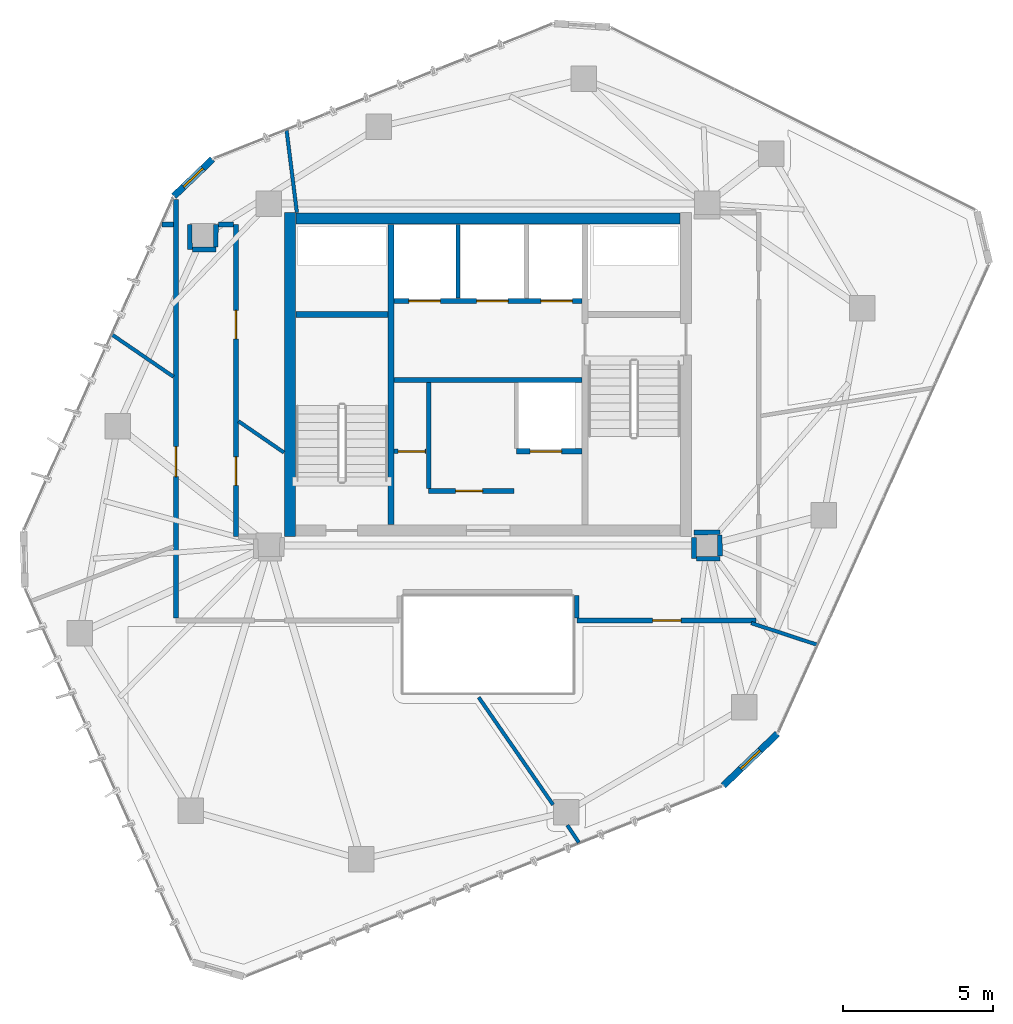
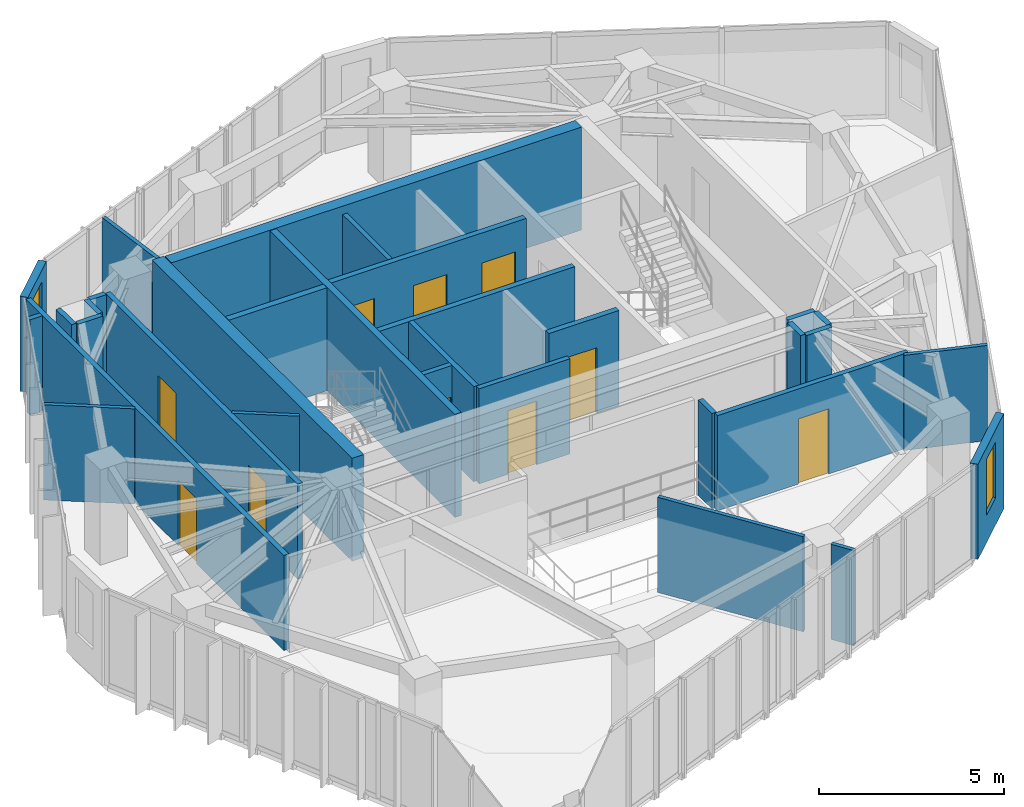
# One storey, part 17 of 20: 32 walls, 10 doors, 2 windows, 12 openings.
"""IFC4 building model written with IfcOpenShell, lengths in metres."""

import ifcopenshell
import ifcopenshell.guid

model = None  # the IFC model being written
_history = None  # IfcOwnerHistory: only IFC2X3 demands one
_inside = {}  # id of a spatial element -> (the spatial element, [elements in it])
_under = {}  # id of a project, library or spatial element -> (it, [spatial elements below it])
_declared = {}  # id of a project -> (the project, [libraries it declares])
_typed = {}  # id of a type object -> (the type object, [elements of that type])
_made_of = {}  # id of a material, layer set ... -> (it, [elements and type objects made of it])


def new_model(schema):
    """Start an empty IFC model of exactly this schema.

    Asked for "IFC4X3", IfcOpenShell would pick the latest addendum, in which some entities
    have other attributes; the version numbers below select the first issue.
    IFC2X3 requires an IfcOwnerHistory on every rooted entity: one is made here for all.
    """
    global model, _history
    if schema == "IFC4X3":
        model = ifcopenshell.file(schema_version=(4, 3, 0, 0))
    else:
        model = ifcopenshell.file(schema=schema)
    _inside.clear()
    _under.clear()
    _declared.clear()
    _typed.clear()
    _made_of.clear()
    _history = None
    if model.schema == "IFC2X3":
        org = make("IfcOrganization", Name="unknown")
        user = make(
            "IfcPersonAndOrganization",
            ThePerson=make("IfcPerson", FamilyName="unknown"),
            TheOrganization=org,
        )
        app = make(
            "IfcApplication",
            ApplicationDeveloper=org,
            Version="unknown",
            ApplicationFullName="unknown",
            ApplicationIdentifier="unknown",
        )
        _history = make(
            "IfcOwnerHistory",
            OwningUser=user,
            OwningApplication=app,
            ChangeAction="ADDED",
            CreationDate=0,
        )
    return model


def make(cls, **values):
    """One entity of the class cls with the attributes given. An attribute that is None is left unset."""
    return model.create_entity(
        cls, **{name: value for name, value in values.items() if value is not None}
    )


def rooted(cls, **values):
    """An entity with a GlobalId (a new one), such as an element, a storey or a relation."""
    return make(cls, GlobalId=ifcopenshell.guid.new(), OwnerHistory=_history, **values)


def si_unit(unit_type, name, prefix=None):
    """IfcSIUnit, for example si_unit("LENGTHUNIT", "METRE", prefix="MILLI")."""
    return make("IfcSIUnit", UnitType=unit_type, Prefix=prefix, Name=name)


def assignment(units):
    """IfcUnitAssignment: the units of a project."""
    return None if units is None else make("IfcUnitAssignment", Units=units)


def point(xyz):
    """IfcCartesianPoint."""
    return None if xyz is None else make("IfcCartesianPoint", Coordinates=xyz)


def direction(xyz):
    """IfcDirection."""
    return None if xyz is None else make("IfcDirection", DirectionRatios=xyz)


def frame(location, z_axis=None, x_axis=None):
    """IfcAxis2Placement3D, a coordinate frame: its origin and axes. An axis left out is left unset."""
    return make(
        "IfcAxis2Placement3D",
        Location=point(location),
        Axis=direction(z_axis),
        RefDirection=direction(x_axis),
    )


def frame_2d(location, x_axis=None):
    """IfcAxis2Placement2D, a coordinate frame in the plane: its origin and x axis."""
    return make(
        "IfcAxis2Placement2D", Location=point(location), RefDirection=direction(x_axis)
    )


def origin():
    """The frame at (0, 0, 0) with its axes left unset."""
    return frame((0.0, 0.0, 0.0))


def place(relative_to, where):
    """IfcLocalPlacement: puts the frame where relative to a parent placement (None: the world)."""
    return make(
        "IfcLocalPlacement", PlacementRelTo=relative_to, RelativePlacement=where
    )


def context(
    kind, dimensions, precision=None, world=None, true_north=None, identifier=None
):
    """IfcGeometricRepresentationContext, for example the 3D "Model" context."""
    return make(
        "IfcGeometricRepresentationContext",
        ContextIdentifier=identifier,
        ContextType=kind,
        CoordinateSpaceDimension=dimensions,
        Precision=precision,
        WorldCoordinateSystem=world,
        TrueNorth=true_north,
    )


def subcontext(parent, identifier, kind, view, scale=None):
    """IfcGeometricRepresentationSubContext, for example "Body" below "Model"."""
    return make(
        "IfcGeometricRepresentationSubContext",
        ContextIdentifier=identifier,
        ContextType=kind,
        ParentContext=parent,
        TargetScale=scale,
        TargetView=view,
    )


def project(units=None, contexts=None):
    """IfcProject with its units and contexts."""
    return rooted(
        "IfcProject",
        Name="project",
        RepresentationContexts=contexts,
        UnitsInContext=assignment(units),
    )


def spatial(cls, under=None, at=None, **own):
    """A site, building, storey or space (cls), placed at a placement, below another one or the project."""
    s = rooted(cls, ObjectPlacement=at, **own)
    if under is not None:
        _under.setdefault(under.id(), (under, []))[1].append(s)
    return s


def profile(cls, at=None, kind="AREA", **sizes):
    """A parametric profile (cls). Its sizes go by their IFC names, for example OverallWidth=200.0."""
    return make(cls, ProfileType=kind, Position=at, **sizes)


def rectangle(**sizes):
    """IfcRectangleProfileDef."""
    return profile("IfcRectangleProfileDef", **sizes)


def extrude(swept, where, along, depth):
    """IfcExtrudedAreaSolid: the profile swept, set in the frame where, extruded along a direction by depth."""
    return make(
        "IfcExtrudedAreaSolid",
        SweptArea=swept,
        Position=where,
        ExtrudedDirection=direction(along),
        Depth=depth,
    )


def shape(context_of_items, identifier, shape_type, items):
    """IfcShapeRepresentation: the items that make up one representation, for example the "Body"."""
    return make(
        "IfcShapeRepresentation",
        ContextOfItems=context_of_items,
        RepresentationIdentifier=identifier,
        RepresentationType=shape_type,
        Items=items,
    )


def source(mapping_origin, context_of_items, identifier, shape_type, items):
    """IfcRepresentationMap: a shape defined once, which mapped items show again and again."""
    return make(
        "IfcRepresentationMap",
        MappingOrigin=mapping_origin,
        MappedRepresentation=shape(context_of_items, identifier, shape_type, items),
    )


def transform(
    local_origin,
    x_axis=None,
    y_axis=None,
    z_axis=None,
    scale=None,
    scale2=None,
    scale3=None,
    uniform=True,
):
    """IfcCartesianTransformationOperator3D, or its non-uniform kind. x_axis, y_axis, z_axis: its Axis1, 2, 3."""
    if uniform:
        return make(
            "IfcCartesianTransformationOperator3D",
            Axis1=direction(x_axis),
            Axis2=direction(y_axis),
            LocalOrigin=point(local_origin),
            Scale=scale,
            Axis3=direction(z_axis),
        )
    return make(
        "IfcCartesianTransformationOperator3DnonUniform",
        Axis1=direction(x_axis),
        Axis2=direction(y_axis),
        LocalOrigin=point(local_origin),
        Scale=scale,
        Axis3=direction(z_axis),
        Scale2=scale2,
        Scale3=scale3,
    )


def mapped(mapping_source, mapping_target):
    """IfcMappedItem: shows the shape of a source again, moved by a transform."""
    return make(
        "IfcMappedItem", MappingSource=mapping_source, MappingTarget=mapping_target
    )


def material(Name=None, Category=None):
    """IfcMaterial."""
    return make("IfcMaterial", Name=Name, Category=Category)


def layer(
    of_material, thickness, ventilated=None, Name=None, Category=None, Priority=None
):
    """IfcMaterialLayer: one layer of a wall or slab, of a material (None: an air gap)."""
    return make(
        "IfcMaterialLayer",
        Material=of_material,
        LayerThickness=thickness,
        IsVentilated=ventilated,
        Name=Name,
        Category=Category,
        Priority=Priority,
    )


def layer_set(layers, Name=None):
    """IfcMaterialLayerSet."""
    return make("IfcMaterialLayerSet", MaterialLayers=layers, LayerSetName=Name)


def made_of(thing, what):
    """Note that an element or type object is made of a material, layer set ...; save() writes the relation."""
    if what is not None:
        _made_of.setdefault(what.id(), (what, []))[1].append(thing)
    return thing


def type_object(cls, material=None, **own):
    """A type object (cls), such as IfcWallType, which elements share."""
    return made_of(rooted(cls, **own), material)


def type_shapes(of_type, sources):
    """Give a type object the sources (RepresentationMaps) that its elements show as mapped items."""
    of_type.RepresentationMaps = sources


def element(
    cls,
    number,
    at=None,
    inside=None,
    cuts=None,
    type_object=None,
    material=None,
    context=None,
    identifier="Body",
    shape_type=None,
    held_by="IfcProductDefinitionShape",
    body=None,
    shapes=None,
    **own,
):
    """One element of the class cls, such as IfcWall. Its Tag is "e" and its number.

    at: its placement. inside: the storey or other place that contains it. cuts: it is an
    opening in that element (IfcRelVoidsElement). A single representation is given by context,
    identifier, shape_type and body (its items); several are given by shapes. held_by: the class
    of the entity that holds the representations. save() writes the other relations.
    """
    e = rooted(cls, Tag="e%d" % number, ObjectPlacement=at, **own)
    if body is not None:
        shapes = [shape(context, identifier, shape_type, body)]
    if shapes is not None:
        e.Representation = make(held_by, Representations=shapes)
    if inside is not None:
        _inside.setdefault(inside.id(), (inside, []))[1].append(e)
    if cuts is not None:
        rooted(
            "IfcRelVoidsElement", RelatingBuildingElement=cuts, RelatedOpeningElement=e
        )
    if type_object is not None:
        _typed.setdefault(type_object.id(), (type_object, []))[1].append(e)
    return made_of(e, material)


def fill(opening, filler):
    """IfcRelFillsElement: the door or window that sits in an opening."""
    return rooted(
        "IfcRelFillsElement",
        RelatingOpeningElement=opening,
        RelatedBuildingElement=filler,
    )


def aggregate(whole, parts):
    """IfcRelAggregates: a whole, such as a stair, and the parts it consists of."""
    return rooted("IfcRelAggregates", RelatingObject=whole, RelatedObjects=parts)


def save(model, path):
    """Write the relations noted so far, then the file.

    IfcRelAggregates (storeys below a building ...), IfcRelContainedInSpatialStructure (elements
    in a storey), IfcRelDefinesByType, IfcRelAssociatesMaterial and IfcRelDeclares: one each for
    every whole, place, type object, material and project.
    """
    for whole, parts in _under.values():
        aggregate(whole, parts)
    for where, things in _inside.values():
        rooted(
            "IfcRelContainedInSpatialStructure",
            RelatedElements=things,
            RelatingStructure=where,
        )
    for kind, things in _typed.values():
        rooted("IfcRelDefinesByType", RelatedObjects=things, RelatingType=kind)
    for what, things in _made_of.values():
        rooted("IfcRelAssociatesMaterial", RelatedObjects=things, RelatingMaterial=what)
    for by, libraries in _declared.values():
        rooted("IfcRelDeclares", RelatingContext=by, RelatedDefinitions=libraries)
    model.write(path)


model = new_model("IFC4")

# Units and contexts
model_context = context("Model", 3, precision=1e-05, world=origin(), true_north=direction((0.0, 1.0)))
body_context = subcontext(model_context, "Body", "Model", "MODEL_VIEW")
ifc_project = project(units=[si_unit("LENGTHUNIT", "METRE"), si_unit("AREAUNIT", "SQUARE_METRE"), si_unit("VOLUMEUNIT", "CUBIC_METRE"), si_unit("PLANEANGLEUNIT", "RADIAN"), si_unit("MASSUNIT", "GRAM", prefix="KILO")], contexts=[model_context])

# Site, building, storey
site_placement = place(None, origin())
site = spatial("IfcSite", under=ifc_project, at=site_placement, CompositionType="ELEMENT")
building_placement = place(site_placement, origin())
building = spatial("IfcBuilding", under=site, at=building_placement, Name="Talar Marvaseh", CompositionType="ELEMENT")
storey_placement = place(building_placement, frame((0.0, 0.0, 278.199951171875)))
storey = spatial("IfcBuildingStorey", under=building, at=storey_placement, Name="L74", CompositionType="ELEMENT", Elevation=278.199951171875)

# Wall, opening, window
ifc_material_1 = material(Name="Precast concrete C45/55", Category="concrete")
ifc_layer_1 = layer(ifc_material_1, 0.22509765625)
ifc_layer_set_1 = layer_set([ifc_layer_1], Name="Precast concrete C45/55")
wall_type_1 = type_object("IfcWallType", Name="Chamfered Hexagonal Corner Pier Wall Z4 225", PredefinedType="SOLIDWALL", material=ifc_layer_set_1)
wall_1_placement = place(storey_placement, frame((15.53271484375, 37.146728515625, 0.0), z_axis=(0.0, 0.0, 1.0), x_axis=(0.722296352169, 0.691583675084, 0.0)))
wall_1 = element("IfcWall", 1, at=wall_1_placement, inside=storey, type_object=wall_type_1, Name="L74 Chamfered Corner Limestone Pier 3", PredefinedType="SOLIDWALL", context=body_context, shape_type="SweptSolid", body=[
    extrude(rectangle(XDim=1.780517578125, YDim=0.22509765625, at=frame_2d((0.89013671875, 0.0))), origin(), (0.0, 0.0, 1.0), 3.14013671875),
])
opening_1_placement = place(wall_1_placement, frame((0.43994140625, 0.0, 0.89990234375)))
opening_1 = element("IfcOpeningElement", 2, at=opening_1_placement, cuts=wall_1, Name="Opening WN-CHM09", PredefinedType="OPENING", context=body_context, shape_type="SweptSolid", body=[
    extrude(rectangle(XDim=0.89990234375, YDim=1.85009765625, at=frame_2d((0.449951171875, 0.925048828125))), frame((0.0, 0.12255859375, 0.0), z_axis=(0.0, -1.0, 0.0), x_axis=(1.0, 0.0, 0.0)), (0.0, 0.0, 1.0), 0.2451171875),
])
ifc_material_2 = material(Name="Laminated Low-E Solar Glass", Category="glass")
window_type = type_object("IfcWindowType", Name="Zone 4 Chamfered Corner Slot Window 900x1850", PartitioningType="SINGLE_PANEL", PredefinedType="WINDOW", material=ifc_material_2)
shared_shape_1 = source(origin(), body_context, "Body", "SweptSolid", [
    extrude(rectangle(XDim=0.89990234375, YDim=1.85009765625, at=frame_2d((0.449951171875, 0.925048828125))), frame((0.0, 0.030029296875, 0.0), z_axis=(0.0, -1.0, 0.0), x_axis=(1.0, 0.0, 0.0)), (0.0, 0.0, 1.0), 0.06005859375),
])
type_shapes(window_type, [shared_shape_1])
window_1_placement = place(opening_1_placement, origin())
window_1 = element("IfcWindow", 3, at=window_1_placement, inside=storey, type_object=window_type, Name="L74 Chamfered Corner Slot Window", OverallHeight=1.85009765625, OverallWidth=0.89990234375, PartitioningType="SINGLE_PANEL", PredefinedType="WINDOW", context=body_context, shape_type="MappedRepresentation", body=[
    mapped(shared_shape_1, transform((0.0, 0.0, 0.0), x_axis=(1.0, 0.0, 0.0), y_axis=(0.0, 1.0, 0.0), z_axis=(0.0, 0.0, 1.0), scale=1.0)),
])
fill(opening_1, window_1)

wall_2_placement = place(storey_placement, frame((35.6494140625, 19.2294921875, 0.0), z_axis=(0.0, 0.0, 1.0), x_axis=(-0.722353633092, -0.691523845402, 0.0)))
wall_2 = element("IfcWall", 4, at=wall_2_placement, inside=storey, type_object=wall_type_1, Name="L74 Chamfered Corner Limestone Pier 6", PredefinedType="SOLIDWALL", context=body_context, shape_type="SweptSolid", body=[
    extrude(rectangle(XDim=2.50244140625, YDim=0.22509765625, at=frame_2d((1.251220703125, 0.0))), origin(), (0.0, 0.0, 1.0), 3.14013671875),
])
opening_2_placement = place(wall_2_placement, frame((0.801025390625, 0.0, 0.89990234375)))
opening_2 = element("IfcOpeningElement", 5, at=opening_2_placement, cuts=wall_2, Name="Opening WN-CHM09", PredefinedType="OPENING", context=body_context, shape_type="SweptSolid", body=[
    extrude(rectangle(XDim=0.89990234375, YDim=1.85009765625, at=frame_2d((0.449951171875, 0.925048828125))), frame((0.0, 0.12255859375, 0.0), z_axis=(0.0, -1.0, 0.0), x_axis=(1.0, 0.0, 0.0)), (0.0, 0.0, 1.0), 0.2451171875),
])
window_2_placement = place(opening_2_placement, origin())
window_2 = element("IfcWindow", 6, at=window_2_placement, inside=storey, type_object=window_type, Name="L74 Chamfered Corner Slot Window", OverallHeight=1.85009765625, OverallWidth=0.89990234375, PartitioningType="SINGLE_PANEL", PredefinedType="WINDOW", context=body_context, shape_type="MappedRepresentation", body=[
    mapped(shared_shape_1, transform((0.0, 0.0, 0.0), x_axis=(1.0, 0.0, 0.0), y_axis=(0.0, 1.0, 0.0), z_axis=(0.0, 0.0, 1.0), scale=1.0)),
])
fill(opening_2, window_2)

# Wall
ifc_material_3 = material(Name="Gypsum Board Partition Assembly")
ifc_layer_2 = layer(ifc_material_3, 0.155029296875)
ifc_layer_set_2 = layer_set([ifc_layer_2], Name="Gypsum Board Partition Assembly")
wall_type_2 = type_object("IfcWallType", Name="Corridor Fire-Rated Acoustic Partition 155", PredefinedType="PARTITIONING", material=ifc_layer_set_2)
wall_3_placement = place(storey_placement, frame((24.02001953125, 27.39990234375, 0.0), z_axis=(0.0, 0.0, 1.0), x_axis=(0.0, 1.0, 0.0)))
element("IfcWall", 7, at=wall_3_placement, inside=storey, type_object=wall_type_2, Name="L74 Core BOH Partition", PredefinedType="PARTITIONING", context=body_context, shape_type="SweptSolid", body=[
    extrude(rectangle(XDim=3.5400390625, YDim=0.155029296875, at=frame_2d((1.77001953125, 0.0))), origin(), (0.0, 0.0, 1.0), 3.14013671875),
])

# Wall, opening, door
wall_4_placement = place(storey_placement, frame((24.02001953125, 27.320068359375, 0.0), z_axis=(0.0, 0.0, 1.0), x_axis=(1.0, 0.0, 0.0)))
wall_4 = element("IfcWall", 8, at=wall_4_placement, inside=storey, type_object=wall_type_2, Name="L74 Core BOH Partition", PredefinedType="PARTITIONING", context=body_context, shape_type="SweptSolid", body=[
    extrude(rectangle(XDim=2.840087890625, YDim=0.155029296875, at=frame_2d((1.419921875, 0.0))), origin(), (0.0, 0.0, 1.0), 3.14013671875),
])
opening_3_placement = place(wall_4_placement, frame((0.89990234375, 0.0, 0.0)))
opening_3 = element("IfcOpeningElement", 9, at=opening_3_placement, cuts=wall_4, Name="Opening DR-BOH090", PredefinedType="OPENING", context=body_context, shape_type="SweptSolid", body=[
    extrude(rectangle(XDim=0.89990234375, YDim=2.10009765625, at=frame_2d((0.449951171875, 1.050048828125))), frame((0.0, 0.08740234375, 0.0), z_axis=(0.0, -1.0, 0.0), x_axis=(1.0, 0.0, 0.0)), (0.0, 0.0, 1.0), 0.175048828125),
])
ifc_material_4 = material(Name="Fire-Rated Steel Door Leaf", Category="steel")
door_type_1 = type_object("IfcDoorType", Name="Core Back-of-House Service Door 900x2100", OperationType="NOTDEFINED", PredefinedType="DOOR", material=ifc_material_4)
shared_shape_2 = source(origin(), body_context, "Body", "SweptSolid", [
    extrude(rectangle(XDim=0.89990234375, YDim=2.10009765625, at=frame_2d((0.449951171875, 1.050048828125))), frame((0.0, 0.02490234375, 0.0), z_axis=(0.0, -1.0, 0.0), x_axis=(1.0, 0.0, 0.0)), (0.0, 0.0, 1.0), 0.050048828125),
])
type_shapes(door_type_1, [shared_shape_2])
door_1_placement = place(opening_3_placement, origin())
door_1 = element("IfcDoor", 10, at=door_1_placement, inside=storey, type_object=door_type_1, Name="L74 Store Sky Curatorial Vault Door", OperationType="SINGLE_SWING_LEFT", OverallHeight=2.10009765625, OverallWidth=0.89990234375, PredefinedType="DOOR", context=body_context, shape_type="MappedRepresentation", body=[
    mapped(shared_shape_2, transform((0.0, 0.0, 0.0), x_axis=(1.0, 0.0, 0.0), y_axis=(0.0, 1.0, 0.0), z_axis=(0.0, 0.0, 1.0), scale=1.0)),
])
fill(opening_3, door_1)

wall_5_placement = place(storey_placement, frame((22.865966796875, 28.639892578125, 0.0), z_axis=(0.0, 0.0, 1.0), x_axis=(1.0, 0.0, 0.0)))
wall_5 = element("IfcWall", 11, at=wall_5_placement, inside=storey, type_object=wall_type_2, Name="L74 Core BOH Partition", PredefinedType="PARTITIONING", context=body_context, shape_type="SweptSolid", body=[
    extrude(rectangle(XDim=1.070556640625, YDim=0.155029296875, at=frame_2d((0.53515625, 0.0))), origin(), (0.0, 0.0, 1.0), 3.14013671875),
])
opening_4_placement = place(wall_5_placement, frame((0.139892578125, 0.0, 0.0)))
opening_4 = element("IfcOpeningElement", 12, at=opening_4_placement, cuts=wall_5, Name="Opening DR-BOH090", PredefinedType="OPENING", context=body_context, shape_type="SweptSolid", body=[
    extrude(rectangle(XDim=0.89990234375, YDim=2.10009765625, at=frame_2d((0.449951171875, 1.050048828125))), frame((0.0, 0.08740234375, 0.0), z_axis=(0.0, -1.0, 0.0), x_axis=(1.0, 0.0, 0.0)), (0.0, 0.0, 1.0), 0.175048828125),
])
door_2_placement = place(opening_4_placement, origin())
door_2 = element("IfcDoor", 13, at=door_2_placement, inside=storey, type_object=door_type_1, Name="L74 Cleaner Core West Closet Door", OperationType="SINGLE_SWING_RIGHT", OverallHeight=2.10009765625, OverallWidth=0.89990234375, PredefinedType="DOOR", context=body_context, shape_type="MappedRepresentation", body=[
    mapped(shared_shape_2, transform((0.0, 0.0, 0.0), x_axis=(1.0, 0.0, 0.0), y_axis=(0.0, 1.0, 0.0), z_axis=(0.0, 0.0, 1.0), scale=1.0)),
])
fill(opening_4, door_2)

# Wall, openings, doors
wall_6_placement = place(storey_placement, frame((17.60009765625, 36.199951171875, 0.0), z_axis=(0.0, 0.0, 1.0), x_axis=(0.0, -1.0, 0.0)))
wall_6 = element("IfcWall", 14, at=wall_6_placement, inside=storey, type_object=wall_type_2, Name="L74 Interior Partition Wall", PredefinedType="PARTITIONING", context=body_context, shape_type="SweptSolid", body=[
    extrude(rectangle(XDim=10.39990234375, YDim=0.155029296875, at=frame_2d((5.199951171875, 0.0))), origin(), (0.0, 0.0, 1.0), 3.14013671875),
])
opening_5_placement = place(wall_6_placement, frame((2.861572265625, 0.0, 0.0)))
opening_5 = element("IfcOpeningElement", 15, at=opening_5_placement, cuts=wall_6, Name="Opening DR-WC095", PredefinedType="OPENING", context=body_context, shape_type="SweptSolid", body=[
    extrude(rectangle(XDim=0.949951171875, YDim=2.14990234375, at=frame_2d((0.47509765625, 1.074951171875))), frame((0.0, 0.08740234375, 0.0), z_axis=(0.0, -1.0, 0.0), x_axis=(1.0, 0.0, 0.0)), (0.0, 0.0, 1.0), 0.175048828125),
])
opening_6_placement = place(wall_6_placement, frame((7.74072265625, 0.0, 0.0)))
opening_6 = element("IfcOpeningElement", 16, at=opening_6_placement, cuts=wall_6, Name="Opening DR-WC095", PredefinedType="OPENING", context=body_context, shape_type="SweptSolid", body=[
    extrude(rectangle(XDim=0.949951171875, YDim=2.14990234375, at=frame_2d((0.47509765625, 1.074951171875))), frame((0.0, 0.08740234375, 0.0), z_axis=(0.0, -1.0, 0.0), x_axis=(1.0, 0.0, 0.0)), (0.0, 0.0, 1.0), 0.175048828125),
])
ifc_material_5 = material(Name="Acoustic Engineered Oak Timber", Category="wood")
door_type_2 = type_object("IfcDoorType", Name="Washroom and Service Room Door 950x2150", OperationType="NOTDEFINED", PredefinedType="DOOR", material=ifc_material_5)
shared_shape_3 = source(origin(), body_context, "Body", "SweptSolid", [
    extrude(rectangle(XDim=0.949951171875, YDim=2.14990234375, at=frame_2d((0.47509765625, 1.074951171875))), frame((0.0, 0.02490234375, 0.0), z_axis=(0.0, -1.0, 0.0), x_axis=(1.0, 0.0, 0.0)), (0.0, 0.0, 1.0), 0.050048828125),
])
type_shapes(door_type_2, [shared_shape_3])
door_3_placement = place(opening_5_placement, origin())
door_3 = element("IfcDoor", 17, at=door_3_placement, inside=storey, type_object=door_type_2, Name="L74 Accessible WC Door", OperationType="SINGLE_SWING_LEFT", OverallHeight=2.14990234375, OverallWidth=0.949951171875, PredefinedType="DOOR", context=body_context, shape_type="MappedRepresentation", body=[
    mapped(shared_shape_3, transform((0.0, 0.0, 0.0), x_axis=(1.0, 0.0, 0.0), y_axis=(0.0, 1.0, 0.0), z_axis=(0.0, 0.0, 1.0), scale=1.0)),
])
fill(opening_5, door_3)
door_4_placement = place(opening_6_placement, origin())
door_4 = element("IfcDoor", 18, at=door_4_placement, inside=storey, type_object=door_type_2, Name="L74 WC Public Washrooms Door", OperationType="SINGLE_SWING_RIGHT", OverallHeight=2.14990234375, OverallWidth=0.949951171875, PredefinedType="DOOR", context=body_context, shape_type="MappedRepresentation", body=[
    mapped(shared_shape_3, transform((0.0, 0.0, 0.0), x_axis=(1.0, 0.0, 0.0), y_axis=(0.0, 1.0, 0.0), z_axis=(0.0, 0.0, 1.0), scale=1.0)),
])
fill(opening_6, door_4)

# Wall, opening, door
wall_7_placement = place(storey_placement, frame((34.9365234375, 23.0, 0.0), z_axis=(0.0, 0.0, 1.0), x_axis=(-1.0, 0.0, 0.0)))
wall_7 = element("IfcWall", 19, at=wall_7_placement, inside=storey, type_object=wall_type_2, Name="L74 Interior Partition Wall", PredefinedType="PARTITIONING", context=body_context, shape_type="SweptSolid", body=[
    extrude(rectangle(XDim=5.9765625, YDim=0.155029296875, at=frame_2d((2.98828125, 0.0))), origin(), (0.0, 0.0, 1.0), 3.14013671875),
])
opening_7_placement = place(wall_7_placement, frame((2.497314453125, 0.0, 0.0)))
opening_7 = element("IfcOpeningElement", 20, at=opening_7_placement, cuts=wall_7, Name="Opening DR-WC095", PredefinedType="OPENING", context=body_context, shape_type="SweptSolid", body=[
    extrude(rectangle(XDim=0.949951171875, YDim=2.14990234375, at=frame_2d((0.47509765625, 1.074951171875))), frame((0.0, 0.08740234375, 0.0), z_axis=(0.0, -1.0, 0.0), x_axis=(1.0, 0.0, 0.0)), (0.0, 0.0, 1.0), 0.175048828125),
])
door_5_placement = place(opening_7_placement, origin())
door_5 = element("IfcDoor", 21, at=door_5_placement, inside=storey, type_object=door_type_2, Name="L74 Hospitality Tea Pantry Door", OperationType="SINGLE_SWING_RIGHT", OverallHeight=2.14990234375, OverallWidth=0.949951171875, PredefinedType="DOOR", context=body_context, shape_type="MappedRepresentation", body=[
    mapped(shared_shape_3, transform((0.0, 0.0, 0.0), x_axis=(1.0, 0.0, 0.0), y_axis=(0.0, 1.0, 0.0), z_axis=(0.0, 0.0, 1.0), scale=1.0)),
])
fill(opening_7, door_5)

wall_8_placement = place(storey_placement, frame((15.60009765625, 23.08349609375, 0.0), z_axis=(0.0, 0.0, 1.0), x_axis=(0.0, 1.0, 0.0)))
wall_8 = element("IfcWall", 22, at=wall_8_placement, inside=storey, type_object=wall_type_2, Name="L74 Interior Partition Wall", PredefinedType="PARTITIONING", context=body_context, shape_type="SweptSolid", body=[
    extrude(rectangle(XDim=13.942626953125, YDim=0.155029296875, at=frame_2d((6.97119140625, 0.0))), origin(), (0.0, 0.0, 1.0), 3.14013671875),
])
opening_8_placement = place(wall_8_placement, frame((4.713134765625, 0.0, 0.0)))
opening_8 = element("IfcOpeningElement", 23, at=opening_8_placement, cuts=wall_8, Name="Opening DR-RM100", PredefinedType="OPENING", context=body_context, shape_type="SweptSolid", body=[
    extrude(rectangle(XDim=1.0, YDim=2.14990234375, at=frame_2d((0.5, 1.074951171875))), frame((0.0, 0.08740234375, 0.0), z_axis=(0.0, -1.0, 0.0), x_axis=(1.0, 0.0, 0.0)), (0.0, 0.0, 1.0), 0.175048828125),
])
door_type_3 = type_object("IfcDoorType", Name="Corridor Fire-Rated Gallery Door 1000x2150", OperationType="NOTDEFINED", PredefinedType="DOOR", material=ifc_material_5)
shared_shape_4 = source(origin(), body_context, "Body", "SweptSolid", [
    extrude(rectangle(XDim=1.0, YDim=2.14990234375, at=frame_2d((0.5, 1.074951171875))), frame((0.0, 0.02490234375, 0.0), z_axis=(0.0, -1.0, 0.0), x_axis=(1.0, 0.0, 0.0)), (0.0, 0.0, 1.0), 0.050048828125),
])
type_shapes(door_type_3, [shared_shape_4])
door_6_placement = place(opening_8_placement, origin())
door_6 = element("IfcDoor", 24, at=door_6_placement, inside=storey, type_object=door_type_3, Name="L74 Archival Facsimile Boutique Door", OperationType="SINGLE_SWING_LEFT", OverallHeight=2.14990234375, OverallWidth=1.0, PredefinedType="DOOR", context=body_context, shape_type="MappedRepresentation", body=[
    mapped(shared_shape_4, transform((0.0, 0.0, 0.0), x_axis=(1.0, 0.0, 0.0), y_axis=(0.0, 1.0, 0.0), z_axis=(0.0, 0.0, 1.0), scale=1.0)),
])
fill(opening_8, door_6)

# Walls
wall_9_placement = place(storey_placement, frame((16.053955078125, 36.199951171875, 0.0), z_axis=(0.0, 0.0, 1.0), x_axis=(0.018168161375, -0.999834945335, 0.0)))
element("IfcWall", 25, at=wall_9_placement, inside=storey, type_object=wall_type_2, Name="L74 Interior Partition Wall", PredefinedType="PARTITIONING", context=body_context, shape_type="SweptSolid", body=[
    extrude(rectangle(XDim=0.833251953125, YDim=0.155029296875, at=frame_2d((0.41650390625, 0.0))), origin(), (0.0, 0.0, 1.0), 3.14013671875),
])
wall_10_placement = place(storey_placement, frame((16.152587890625, 35.3671875, 0.0), z_axis=(0.0, 0.0, 1.0), x_axis=(0.999997558852, 0.002209590566, 0.0)))
element("IfcWall", 26, at=wall_10_placement, inside=storey, type_object=wall_type_2, Name="L74 Interior Partition Wall", PredefinedType="PARTITIONING", context=body_context, shape_type="SweptSolid", body=[
    extrude(rectangle(XDim=0.7734375, YDim=0.155029296875, at=frame_2d((0.38671875, 0.0))), origin(), (0.0, 0.0, 1.0), 3.14013671875),
])
wall_11_placement = place(storey_placement, frame((16.927001953125, 35.452392578125, 0.0), z_axis=(0.0, 0.0, 1.0), x_axis=(0.009470509294, 0.999955153721, 0.0)))
element("IfcWall", 27, at=wall_11_placement, inside=storey, type_object=wall_type_2, Name="L74 Interior Partition Wall", PredefinedType="PARTITIONING", context=body_context, shape_type="SweptSolid", body=[
    extrude(rectangle(XDim=0.74755859375, YDim=0.155029296875, at=frame_2d((0.373779296875, 0.0))), origin(), (0.0, 0.0, 1.0), 3.14013671875),
])
wall_12_placement = place(storey_placement, frame((17.017578125, 36.199951171875, 0.0), z_axis=(0.0, 0.0, 1.0), x_axis=(1.0, 0.0, 0.0)))
element("IfcWall", 28, at=wall_12_placement, inside=storey, type_object=wall_type_2, Name="L74 Interior Partition Wall", PredefinedType="PARTITIONING", context=body_context, shape_type="SweptSolid", body=[
    extrude(rectangle(XDim=0.4990234375, YDim=0.155029296875, at=frame_2d((0.24951171875, 0.0))), origin(), (0.0, 0.0, 1.0), 3.14013671875),
])
wall_13_placement = place(storey_placement, frame((28.959716796875, 23.08349609375, 0.0), z_axis=(0.0, 0.0, 1.0), x_axis=(-0.003917697652, 0.999992325793, 0.0)))
element("IfcWall", 29, at=wall_13_placement, inside=storey, type_object=wall_type_2, Name="L74 Interior Partition Wall", PredefinedType="PARTITIONING", context=body_context, shape_type="SweptSolid", body=[
    extrude(rectangle(XDim=0.747802734375, YDim=0.155029296875, at=frame_2d((0.3740234375, 0.0))), origin(), (0.0, 0.0, 1.0), 3.14013671875),
])
wall_14_placement = place(storey_placement, frame((15.127685546875, 36.199951171875, 0.0), z_axis=(0.0, 0.0, 1.0), x_axis=(1.0, 0.0, 0.0)))
element("IfcWall", 30, at=wall_14_placement, inside=storey, type_object=wall_type_2, Name="L74 Interior Partition Wall", PredefinedType="PARTITIONING", context=body_context, shape_type="SweptSolid", body=[
    extrude(rectangle(XDim=0.388916015625, YDim=0.155029296875, at=frame_2d((0.1943359375, 0.0))), origin(), (0.0, 0.0, 1.0), 3.14013671875),
])
wall_15_placement = place(storey_placement, frame((33.72509765625, 25.93994140625, 0.0), z_axis=(0.0, 0.0, 1.0), x_axis=(-0.999986790873, -0.005139852152, 0.0)))
element("IfcWall", 31, at=wall_15_placement, inside=storey, type_object=wall_type_2, Name="L74 Interior Partition Wall", PredefinedType="PARTITIONING", context=body_context, shape_type="SweptSolid", body=[
    extrude(rectangle(XDim=0.85498046875, YDim=0.155029296875, at=frame_2d((0.427490234375, 0.0))), origin(), (0.0, 0.0, 1.0), 3.14013671875),
])
wall_16_placement = place(storey_placement, frame((32.864501953125, 25.772705078125, 0.0), z_axis=(0.0, 0.0, 1.0), x_axis=(0.0, -1.0, 0.0)))
element("IfcWall", 32, at=wall_16_placement, inside=storey, type_object=wall_type_2, Name="L74 Interior Partition Wall", PredefinedType="PARTITIONING", context=body_context, shape_type="SweptSolid", body=[
    extrude(rectangle(XDim=0.708251953125, YDim=0.155029296875, at=frame_2d((0.35400390625, 0.0))), origin(), (0.0, 0.0, 1.0), 3.14013671875),
])
wall_17_placement = place(storey_placement, frame((32.947998046875, 25.064453125, 0.0), z_axis=(0.0, 0.0, 1.0), x_axis=(1.0, 0.0, 0.0)))
element("IfcWall", 33, at=wall_17_placement, inside=storey, type_object=wall_type_2, Name="L74 Interior Partition Wall", PredefinedType="PARTITIONING", context=body_context, shape_type="SweptSolid", body=[
    extrude(rectangle(XDim=0.78759765625, YDim=0.155029296875, at=frame_2d((0.393798828125, 0.0))), origin(), (0.0, 0.0, 1.0), 3.14013671875),
])
wall_18_placement = place(storey_placement, frame((33.734619140625, 25.14794921875, 0.0), z_axis=(0.0, 0.0, 1.0), x_axis=(-0.012059770759, 0.99992727832, 0.0)))
element("IfcWall", 34, at=wall_18_placement, inside=storey, type_object=wall_type_2, Name="L74 Interior Partition Wall", PredefinedType="PARTITIONING", context=body_context, shape_type="SweptSolid", body=[
    extrude(rectangle(XDim=0.70849609375, YDim=0.155029296875, at=frame_2d((0.354248046875, 0.0))), origin(), (0.0, 0.0, 1.0), 3.14013671875),
])
ifc_layer_3 = layer(ifc_material_3, 0.1201171875)
ifc_layer_set_3 = layer_set([ifc_layer_3], Name="Gypsum Board Partition Assembly")
wall_type_3 = type_object("IfcWallType", Name="Demountable Studio Room Partition 120", PredefinedType="PARTITIONING", material=ifc_layer_set_3)
wall_19_placement = place(storey_placement, frame((25.68994140625, 20.43994140625, 0.0), z_axis=(0.0, 0.0, 1.0), x_axis=(0.569463569902, -0.82201657073, 0.0)))
element("IfcWall", 35, at=wall_19_placement, inside=storey, type_object=wall_type_3, Name="L74 Interior Partition Wall", PredefinedType="PARTITIONING", context=body_context, shape_type="SweptSolid", body=[
    extrude(rectangle(XDim=4.35498046875, YDim=0.1201171875, at=frame_2d((2.177490234375, 0.0))), origin(), (0.0, 0.0, 1.0), 3.14013671875),
])
wall_20_placement = place(storey_placement, frame((28.639892578125, 16.179931640625, 0.0), z_axis=(0.0, 0.0, 1.0), x_axis=(0.559286848398, -0.828974198156, 0.0)))
element("IfcWall", 36, at=wall_20_placement, inside=storey, type_object=wall_type_3, Name="L74 Interior Partition Wall", PredefinedType="PARTITIONING", context=body_context, shape_type="SweptSolid", body=[
    extrude(rectangle(XDim=0.698974609375, YDim=0.1201171875, at=frame_2d((0.349609375, 0.0))), origin(), (0.0, 0.0, 1.0), 3.14013671875),
])
wall_21_placement = place(storey_placement, frame((34.773681640625, 22.91650390625, 0.0), z_axis=(0.0, 0.0, 1.0), x_axis=(0.949925376383, -0.312476846027, 0.0)))
element("IfcWall", 37, at=wall_21_placement, inside=storey, type_object=wall_type_3, Name="L74 Interior Partition Wall", PredefinedType="PARTITIONING", context=body_context, shape_type="SweptSolid", body=[
    extrude(rectangle(XDim=2.3056640625, YDim=0.1201171875, at=frame_2d((1.15283203125, 0.0))), origin(), (0.0, 0.0, 1.0), 3.14013671875),
])
wall_22_placement = place(storey_placement, frame((19.6298828125, 36.60009765625, 0.0), z_axis=(0.0, 0.0, 1.0), x_axis=(-0.124034734589, 0.992277876714, 0.0)))
element("IfcWall", 38, at=wall_22_placement, inside=storey, type_object=wall_type_3, Name="L74 Interior Partition Wall", PredefinedType="PARTITIONING", context=body_context, shape_type="SweptSolid", body=[
    extrude(rectangle(XDim=2.759521484375, YDim=0.1201171875, at=frame_2d((1.3798828125, 0.0))), origin(), (0.0, 0.0, 1.0), 3.14013671875),
])
wall_23_placement = place(storey_placement, frame((19.199951171875, 28.60009765625, 0.0), z_axis=(0.0, 0.0, 1.0), x_axis=(-0.82404579534, 0.566523192095, 0.0)))
element("IfcWall", 39, at=wall_23_placement, inside=storey, type_object=wall_type_3, Name="L74 Interior Partition Wall", PredefinedType="PARTITIONING", context=body_context, shape_type="SweptSolid", body=[
    extrude(rectangle(XDim=1.840087890625, YDim=0.1201171875, at=frame_2d((0.919921875, 0.0))), origin(), (0.0, 0.0, 1.0), 3.14013671875),
])
wall_24_placement = place(storey_placement, frame((15.5166015625, 31.127197265625, 0.0), z_axis=(0.0, 0.0, 1.0), x_axis=(-0.824865800914, 0.565328586296, 0.0)))
element("IfcWall", 40, at=wall_24_placement, inside=storey, type_object=wall_type_3, Name="L74 Interior Partition Wall", PredefinedType="PARTITIONING", context=body_context, shape_type="SweptSolid", body=[
    extrude(rectangle(XDim=2.47021484375, YDim=0.1201171875, at=frame_2d((1.235107421875, 0.0))), origin(), (0.0, 0.0, 1.0), 3.14013671875),
])
ifc_layer_4 = layer(ifc_material_1, 0.14501953125)
ifc_layer_set_4 = layer_set([ifc_layer_4], Name="Precast concrete C45/55")
wall_type_4 = type_object("IfcWallType", Name="Fire-Rated Lift Divider Wall 145", PredefinedType="SOLIDWALL", material=ifc_layer_set_4)
wall_25_placement = place(storey_placement, frame((25.0, 33.743408203125, 0.0), z_axis=(0.0, 0.0, 1.0), x_axis=(0.0, 1.0, 0.0)))
element("IfcWall", 41, at=wall_25_placement, inside=storey, type_object=wall_type_4, Name="L74 FFL-1/FFL-2 Divider", PredefinedType="SOLIDWALL", context=body_context, shape_type="SweptSolid", body=[
    extrude(rectangle(XDim=2.45654296875, YDim=0.14501953125, at=frame_2d((1.228271484375, 0.0))), origin(), (0.0, 0.0, 1.0), 3.14013671875),
])

# Wall, openings, doors
ifc_layer_5 = layer(ifc_material_1, 0.175048828125)
ifc_layer_set_5 = layer_set([ifc_layer_5], Name="Precast concrete C45/55")
wall_type_5 = type_object("IfcWallType", Name="Fire-Rated Lift Hoistway Enclosure Wall 175", PredefinedType="SOLIDWALL", material=ifc_layer_set_5)
wall_26_placement = place(storey_placement, frame((22.860107421875, 33.64990234375, 0.0), z_axis=(0.0, 0.0, 1.0), x_axis=(1.0, 0.0, 0.0)))
wall_26 = element("IfcWall", 42, at=wall_26_placement, inside=storey, type_object=wall_type_5, Name="L74 Firefighting and Service Lift Front Wall", PredefinedType="SOLIDWALL", context=body_context, shape_type="SweptSolid", body=[
    extrude(rectangle(XDim=6.27978515625, YDim=0.175048828125, at=frame_2d((3.139892578125, 0.0))), origin(), (0.0, 0.0, 1.0), 3.14013671875),
])
opening_9_placement = place(wall_26_placement, frame((0.5, 0.0, 0.0)))
opening_9 = element("IfcOpeningElement", 43, at=opening_9_placement, cuts=wall_26, Name="Opening LD-FF1", PredefinedType="OPENING", context=body_context, shape_type="SweptSolid", body=[
    extrude(rectangle(XDim=1.050048828125, YDim=2.14990234375, at=frame_2d((0.52490234375, 1.074951171875))), frame((0.0, 0.09765625, 0.0), z_axis=(0.0, -1.0, 0.0), x_axis=(1.0, 0.0, 0.0)), (0.0, 0.0, 1.0), 0.195068359375),
])
opening_10_placement = place(wall_26_placement, frame((2.760009765625, 0.0, 0.0)))
opening_10 = element("IfcOpeningElement", 44, at=opening_10_placement, cuts=wall_26, Name="Opening LD-FF2", PredefinedType="OPENING", context=body_context, shape_type="SweptSolid", body=[
    extrude(rectangle(XDim=1.050048828125, YDim=2.14990234375, at=frame_2d((0.52490234375, 1.074951171875))), frame((0.0, 0.09765625, 0.0), z_axis=(0.0, -1.0, 0.0), x_axis=(1.0, 0.0, 0.0)), (0.0, 0.0, 1.0), 0.195068359375),
])
opening_11_placement = place(wall_26_placement, frame((4.89990234375, 0.0, 0.0)))
opening_11 = element("IfcOpeningElement", 45, at=opening_11_placement, cuts=wall_26, Name="Opening LD-SV1", PredefinedType="OPENING", context=body_context, shape_type="SweptSolid", body=[
    extrude(rectangle(XDim=1.050048828125, YDim=2.14990234375, at=frame_2d((0.52490234375, 1.074951171875))), frame((0.0, 0.09765625, 0.0), z_axis=(0.0, -1.0, 0.0), x_axis=(1.0, 0.0, 0.0)), (0.0, 0.0, 1.0), 0.195068359375),
])
ifc_material_6 = material(Name="Stainless Steel Grade 316", Category="steel")
door_type_4 = type_object("IfcDoorType", Name="Automatic Sliding Lift Landing Door 1050x2150", OperationType="NOTDEFINED", PredefinedType="DOOR", material=ifc_material_6)
shared_shape_5 = source(origin(), body_context, "Body", "SweptSolid", [
    extrude(rectangle(XDim=1.050048828125, YDim=2.14990234375, at=frame_2d((0.52490234375, 1.074951171875))), frame((0.0, 0.02490234375, 0.0), z_axis=(0.0, -1.0, 0.0), x_axis=(1.0, 0.0, 0.0)), (0.0, 0.0, 1.0), 0.050048828125),
])
type_shapes(door_type_4, [shared_shape_5])
door_7_placement = place(opening_9_placement, origin())
door_7 = element("IfcDoor", 46, at=door_7_placement, inside=storey, type_object=door_type_4, Name="L74 Lift FFL-1 Sliding Landing Door", OperationType="SLIDING_TO_LEFT", OverallHeight=2.14990234375, OverallWidth=1.050048828125, PredefinedType="DOOR", context=body_context, shape_type="MappedRepresentation", body=[
    mapped(shared_shape_5, transform((0.0, 0.0, 0.0), x_axis=(1.0, 0.0, 0.0), y_axis=(0.0, 1.0, 0.0), z_axis=(0.0, 0.0, 1.0), scale=1.0)),
])
fill(opening_9, door_7)
door_8_placement = place(opening_10_placement, origin())
door_8 = element("IfcDoor", 47, at=door_8_placement, inside=storey, type_object=door_type_4, Name="L74 Lift FFL-2 Sliding Landing Door", OperationType="SLIDING_TO_LEFT", OverallHeight=2.14990234375, OverallWidth=1.050048828125, PredefinedType="DOOR", context=body_context, shape_type="MappedRepresentation", body=[
    mapped(shared_shape_5, transform((0.0, 0.0, 0.0), x_axis=(1.0, 0.0, 0.0), y_axis=(0.0, 1.0, 0.0), z_axis=(0.0, 0.0, 1.0), scale=1.0)),
])
fill(opening_10, door_8)
door_9_placement = place(opening_11_placement, origin())
door_9 = element("IfcDoor", 48, at=door_9_placement, inside=storey, type_object=door_type_4, Name="L74 Lift SVL-1 Sliding Landing Door", OperationType="SLIDING_TO_LEFT", OverallHeight=2.14990234375, OverallWidth=1.050048828125, PredefinedType="DOOR", context=body_context, shape_type="MappedRepresentation", body=[
    mapped(shared_shape_5, transform((0.0, 0.0, 0.0), x_axis=(1.0, 0.0, 0.0), y_axis=(0.0, 1.0, 0.0), z_axis=(0.0, 0.0, 1.0), scale=1.0)),
])
fill(opening_11, door_9)

# Wall
wall_27_placement = place(storey_placement, frame((22.860107421875, 31.02001953125, 0.0), z_axis=(0.0, 0.0, 1.0), x_axis=(1.0, 0.0, 0.0)))
element("IfcWall", 49, at=wall_27_placement, inside=storey, type_object=wall_type_5, Name="L74 Firefighting Lobby South Smoke Wall", PredefinedType="SOLIDWALL", context=body_context, shape_type="SweptSolid", body=[
    extrude(rectangle(XDim=6.27978515625, YDim=0.175048828125, at=frame_2d((3.139892578125, 0.0))), origin(), (0.0, 0.0, 1.0), 3.14013671875),
])

# Wall, opening, door
wall_28_placement = place(storey_placement, frame((26.949951171875, 28.639892578125, 0.0), z_axis=(0.0, 0.0, 1.0), x_axis=(1.0, 0.0, 0.0)))
wall_28 = element("IfcWall", 50, at=wall_28_placement, inside=storey, type_object=wall_type_5, Name="L74 Sky Express Lift Front Wall", PredefinedType="SOLIDWALL", context=body_context, shape_type="SweptSolid", body=[
    extrude(rectangle(XDim=2.18994140625, YDim=0.175048828125, at=frame_2d((1.094970703125, 0.0))), origin(), (0.0, 0.0, 1.0), 3.14013671875),
])
opening_12_placement = place(wall_28_placement, frame((0.449951171875, 0.0, 0.0)))
opening_12 = element("IfcOpeningElement", 51, at=opening_12_placement, cuts=wall_28, Name="Opening LD-PLH3", PredefinedType="OPENING", context=body_context, shape_type="SweptSolid", body=[
    extrude(rectangle(XDim=1.050048828125, YDim=2.14990234375, at=frame_2d((0.52490234375, 1.074951171875))), frame((0.0, 0.09765625, 0.0), z_axis=(0.0, -1.0, 0.0), x_axis=(1.0, 0.0, 0.0)), (0.0, 0.0, 1.0), 0.195068359375),
])
door_10_placement = place(opening_12_placement, origin())
door_10 = element("IfcDoor", 52, at=door_10_placement, inside=storey, type_object=door_type_4, Name="L74 Lift PL-H3 Sliding Landing Door", OperationType="SLIDING_TO_LEFT", OverallHeight=2.14990234375, OverallWidth=1.050048828125, PredefinedType="DOOR", context=body_context, shape_type="MappedRepresentation", body=[
    mapped(shared_shape_5, transform((0.0, 0.0, 0.0), x_axis=(1.0, 0.0, 0.0), y_axis=(0.0, 1.0, 0.0), z_axis=(0.0, 0.0, 1.0), scale=1.0)),
])
fill(opening_12, door_10)

# Walls
ifc_material_7 = material(Name="Concrete C50/60", Category="concrete")
ifc_layer_6 = layer(ifc_material_7, 0.199951171875)
ifc_layer_set_6 = layer_set([ifc_layer_6], Name="Concrete C50/60")
wall_type_6 = type_object("IfcWallType", Name="Stair Shaft Structural Concrete Shear Wall 200", PredefinedType="SHEAR", material=ifc_layer_set_6)
wall_29_placement = place(storey_placement, frame((22.760009765625, 26.199951171875, 0.0), z_axis=(0.0, 0.0, 1.0), x_axis=(0.0, 1.0, 0.0)))
element("IfcWall", 53, at=wall_29_placement, inside=storey, type_object=wall_type_6, Name="L74 Core West Stair Shear Wall", PredefinedType="SHEAR", context=body_context, shape_type="SweptSolid", body=[
    extrude(rectangle(XDim=10.0, YDim=0.199951171875, at=frame_2d((5.0, 0.0))), origin(), (0.0, 0.0, 1.0), 3.400146484375),
])
wall_30_placement = place(storey_placement, frame((19.60009765625, 33.199951171875, 0.0), z_axis=(0.0, 0.0, 1.0), x_axis=(1.0, 0.0, 0.0)))
element("IfcWall", 54, at=wall_30_placement, inside=storey, type_object=wall_type_6, Name="L74 Stair ST-1 North Shear Wall", PredefinedType="SHEAR", context=body_context, shape_type="SweptSolid", body=[
    extrude(rectangle(XDim=3.059814453125, YDim=0.199951171875, at=frame_2d((1.52978515625, 0.0))), origin(), (0.0, 0.0, 1.0), 3.400146484375),
])
ifc_layer_7 = layer(ifc_material_7, 0.360107421875)
ifc_layer_set_7 = layer_set([ifc_layer_7], Name="Concrete C50/60")
wall_type_7 = type_object("IfcWallType", Name="Upper Core Reinforced Concrete Shear Wall 360", PredefinedType="SHEAR", material=ifc_layer_set_7)
wall_31_placement = place(storey_placement, frame((19.39990234375, 25.800048828125, 0.0), z_axis=(0.0, 0.0, 1.0), x_axis=(0.0, 1.0, 0.0)))
element("IfcWall", 55, at=wall_31_placement, inside=storey, type_object=wall_type_7, Name="L74 West Core Shear Wall", PredefinedType="SHEAR", context=body_context, shape_type="SweptSolid", body=[
    extrude(rectangle(XDim=10.800048828125, YDim=0.360107421875, at=frame_2d((5.39990234375, 0.0))), origin(), (0.0, 0.0, 1.0), 3.400146484375),
])
wall_32_placement = place(storey_placement, frame((19.60009765625, 36.39990234375, 0.0), z_axis=(0.0, 0.0, 1.0), x_axis=(1.0, 0.0, 0.0)))
element("IfcWall", 56, at=wall_32_placement, inside=storey, type_object=wall_type_7, Name="L74 North Core Shear Wall", PredefinedType="SHEAR", context=body_context, shape_type="SweptSolid", body=[
    extrude(rectangle(XDim=12.7998046875, YDim=0.360107421875, at=frame_2d((6.39990234375, 0.0))), origin(), (0.0, 0.0, 1.0), 3.400146484375),
])

save(model, "model.ifc")
